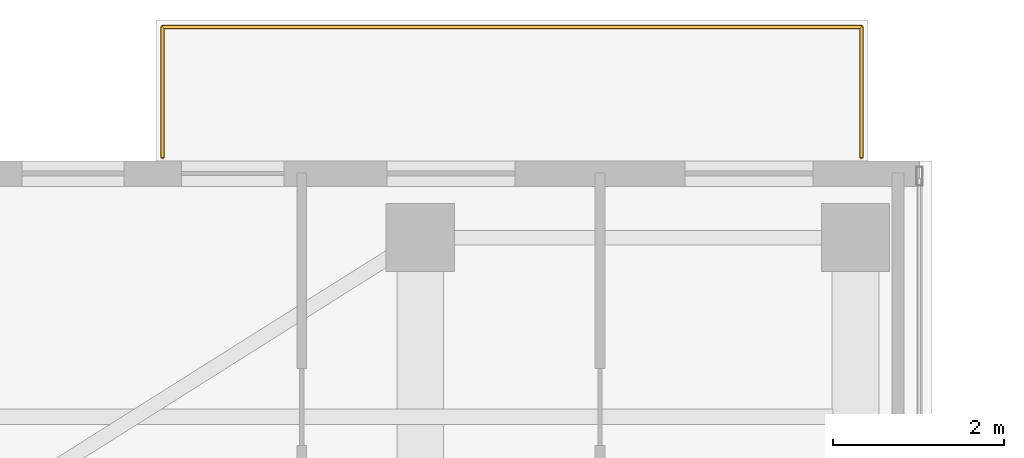
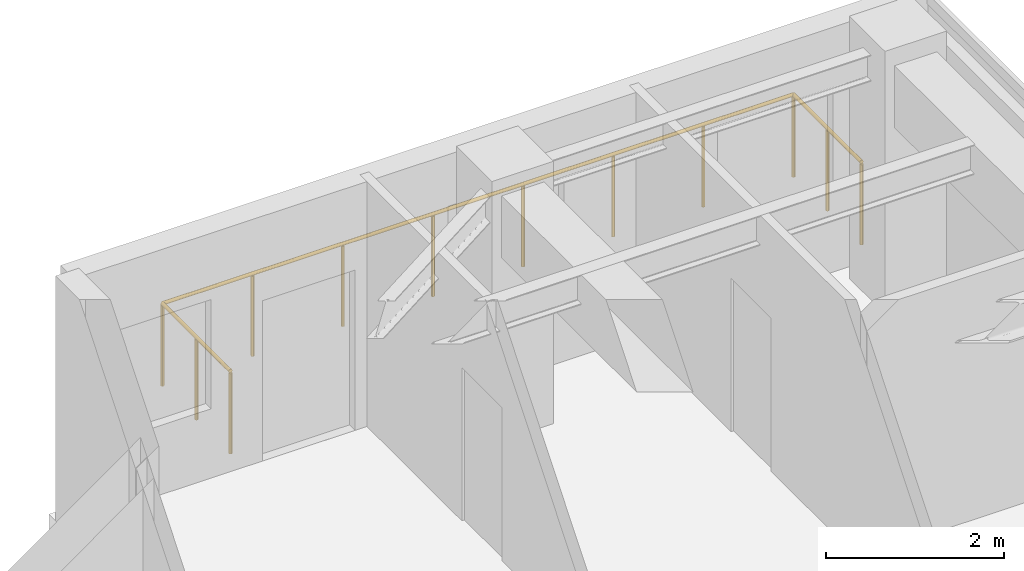
# One storey, part 22 of 22: 1 railing.
"""IFC4 building model written with IfcOpenShell, lengths in metres."""

from ifc_helpers import new_model, si_unit, direction, frame, origin, origin_2d, place, context, subcontext, project, spatial, circle, extrude, material, type_object, element, save


model = new_model("IFC4")

# Units and contexts
model_context = context("Model", 3, precision=1e-05, world=origin(), true_north=direction((0.0, 1.0)))
body_context = subcontext(model_context, "Body", "Model", "MODEL_VIEW")
ifc_project = project(units=[si_unit("LENGTHUNIT", "METRE"), si_unit("AREAUNIT", "SQUARE_METRE"), si_unit("VOLUMEUNIT", "CUBIC_METRE"), si_unit("PLANEANGLEUNIT", "RADIAN"), si_unit("MASSUNIT", "GRAM", prefix="KILO")], contexts=[model_context])

# Site, building, storey
site_placement = place(None, origin())
site = spatial("IfcSite", under=ifc_project, at=site_placement, CompositionType="ELEMENT")
building_placement = place(site_placement, origin())
building = spatial("IfcBuilding", under=site, at=building_placement, Name="Khoralis Quay Care Tower", CompositionType="ELEMENT")
storey_placement = place(building_placement, frame((0.0, 0.0, 260.10009765625)))
storey = spatial("IfcBuildingStorey", under=building, at=storey_placement, Name="L68", CompositionType="ELEMENT", Elevation=260.10009765625)

# Railing
ifc_material = material(Name="Pale anodised aluminium", Category="aluminium")
railing_type = type_object("IfcRailingType", Name="RL-BALUST-1150", PredefinedType="BALUSTRADE", material=ifc_material)
railing_placement = place(storey_placement, frame((8.97998046875, 42.0400390625, -0.02001953125)))
element("IfcRailing", 1, at=railing_placement, inside=storey, type_object=railing_type, Name="L68 Senior Loggia Balcony Guard", PredefinedType="BALUSTRADE", context=body_context, shape_type="SweptSolid", body=[
    extrude(circle(Radius=0.02392578125, at=origin_2d()), frame((0.0, 0.0, 1.1259765625), z_axis=(0.0, 1.0, 0.0), x_axis=(-1.0, 0.0, 0.0)), (0.0, 0.0, 1.0), 1.530029296875),
    extrude(circle(Radius=0.02392578125, at=origin_2d()), frame((0.0, 1.530029296875, 1.1259765625), z_axis=(1.0, 0.0, 0.0), x_axis=(0.0, 1.0, 0.0)), (0.0, 0.0, 1.0), 8.18994140625),
    extrude(circle(Radius=0.02392578125, at=origin_2d()), frame((8.18994140625, 1.530029296875, 1.1259765625), z_axis=(0.0, -1.0, 0.0), x_axis=(1.0, 0.0, 0.0)), (0.0, 0.0, 1.0), 1.530029296875),
    extrude(circle(Radius=0.02099609375, at=origin_2d()), origin(), (0.0, 0.0, 1.0), 1.101806640625),
    extrude(circle(Radius=0.02099609375, at=origin_2d()), frame((0.0, 0.76513671875, 0.0)), (0.0, 0.0, 1.0), 1.101806640625),
    extrude(circle(Radius=0.02099609375, at=origin_2d()), frame((0.0, 1.530029296875, 0.0)), (0.0, 0.0, 1.0), 1.101806640625),
    extrude(circle(Radius=0.02099609375, at=origin_2d()), frame((1.169921875, 1.530029296875, 0.0)), (0.0, 0.0, 1.0), 1.101806640625),
    extrude(circle(Radius=0.02099609375, at=origin_2d()), frame((2.340087890625, 1.530029296875, 0.0)), (0.0, 0.0, 1.0), 1.101806640625),
    extrude(circle(Radius=0.02099609375, at=origin_2d()), frame((3.510009765625, 1.530029296875, 0.0)), (0.0, 0.0, 1.0), 1.101806640625),
    extrude(circle(Radius=0.02099609375, at=origin_2d()), frame((4.679931640625, 1.530029296875, 0.0)), (0.0, 0.0, 1.0), 1.101806640625),
    extrude(circle(Radius=0.02099609375, at=origin_2d()), frame((5.849853515625, 1.530029296875, 0.0)), (0.0, 0.0, 1.0), 1.101806640625),
    extrude(circle(Radius=0.02099609375, at=origin_2d()), frame((7.02001953125, 1.530029296875, 0.0)), (0.0, 0.0, 1.0), 1.101806640625),
    extrude(circle(Radius=0.02099609375, at=origin_2d()), frame((8.18994140625, 1.530029296875, 0.0)), (0.0, 0.0, 1.0), 1.101806640625),
    extrude(circle(Radius=0.02099609375, at=origin_2d()), frame((8.18994140625, 0.76513671875, 0.0)), (0.0, 0.0, 1.0), 1.101806640625),
    extrude(circle(Radius=0.02099609375, at=origin_2d()), frame((8.18994140625, 0.0, 0.0)), (0.0, 0.0, 1.0), 1.101806640625),
])

save(model, "model.ifc")
